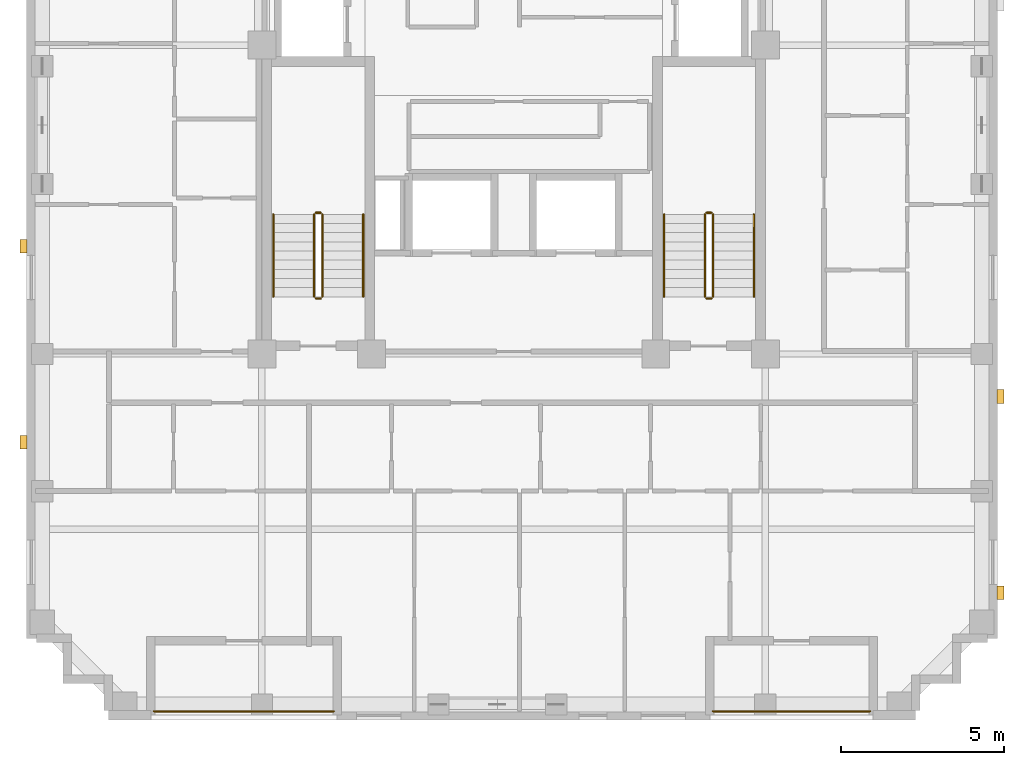
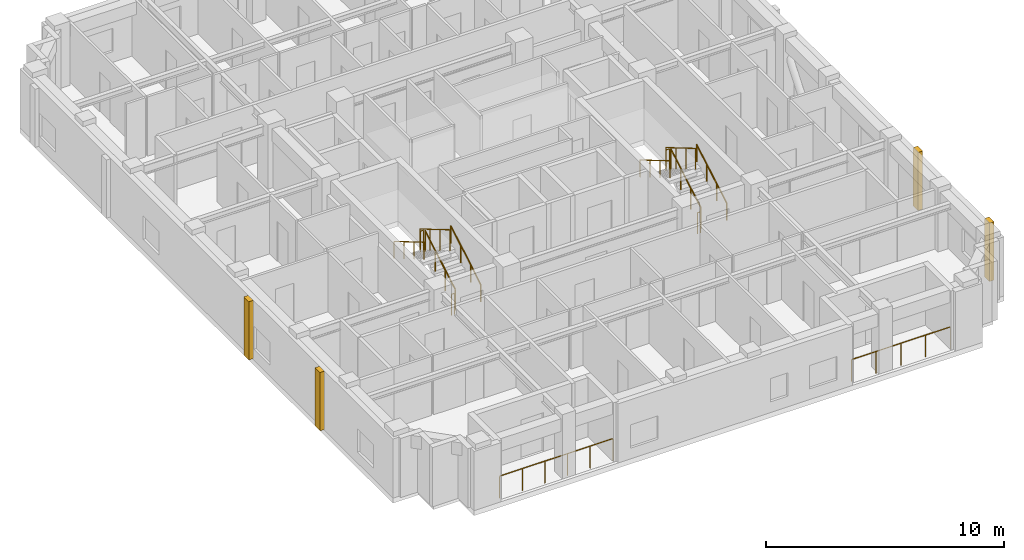
# One storey, part 10 of 11: 14 railings, 4 coverings.
"""IFC4 building model written with IfcOpenShell, lengths in metres."""

from ifc_helpers import new_model, si_unit, derived_unit, direction, frame, origin, origin_2d, place, context, subcontext, project, spatial, rectangle, circle, extrude, material, layer, layer_set, type_object, element, save


model = new_model("IFC4")

# Units and contexts
model_context = context("Model", 3, precision=1e-05, world=origin(), true_north=direction((0.0, 1.0)))
body_context = subcontext(model_context, "Body", "Model", "MODEL_VIEW")
ifc_project = project(units=[si_unit("LENGTHUNIT", "METRE"), si_unit("AREAUNIT", "SQUARE_METRE"), si_unit("VOLUMEUNIT", "CUBIC_METRE"), si_unit("PLANEANGLEUNIT", "RADIAN"), si_unit("MASSUNIT", "GRAM", prefix="KILO"), derived_unit("THERMALTRANSMITTANCEUNIT", [(si_unit("MASSUNIT", "GRAM", prefix="KILO"), 1), (si_unit("TIMEUNIT", "SECOND"), -3), (si_unit("THERMODYNAMICTEMPERATUREUNIT", "KELVIN"), -1)])], contexts=[model_context])

# Site, building, storey
site_placement = place(None, origin())
site = spatial("IfcSite", under=ifc_project, at=site_placement, CompositionType="ELEMENT")
building_placement = place(site_placement, origin())
building = spatial("IfcBuilding", under=site, at=building_placement, Name="Korrvale Station Residences", CompositionType="ELEMENT")
storey_placement = place(building_placement, frame((0.0, 0.0, 197.5)))
storey = spatial("IfcBuildingStorey", under=building, at=storey_placement, Name="L57", CompositionType="ELEMENT", Elevation=197.5)

# Coverings
ifc_material_1 = material(Name="Architectural precast concrete C45/55", Category="concrete")
ifc_layer = layer(ifc_material_1, 0.219970703125, Name="Architectural precast concrete C45/55")
ifc_layer_set = layer_set([ifc_layer], Name="Architectural precast concrete C45/55")
covering_type = type_object("IfcCoveringType", Name="COV-PIER-400", PredefinedType="CLADDING", material=ifc_layer_set)
for number, where, z_axis, x_axis, name in (
    (1, (10.510009765625, 12.300048828125, 0.02490234375), (0.0, 0.0, 1.0), (0.0, 1.0, 0.0), "L57 Architectural Precast Facade Pier 02"),
    (2, (10.510009765625, 18.300048828125, 0.02490234375), (0.0, 0.0, 1.0), (0.0, 1.0, 0.0), "L57 Architectural Precast Facade Pier 03"),
    (3, (40.389892578125, 13.699951171875, 0.02490234375), (0.0, 0.0, 1.0), (0.0, 1.0, 0.0), "L57 Architectural Precast Facade Pier 08"),
    (4, (40.389892578125, 7.699951171875, 0.02490234375), (0.0, 0.0, 1.0), (0.0, 1.0, 0.0), "L57 Architectural Precast Facade Pier 09"),
):
    element("IfcCovering", number, at=place(storey_placement, frame(where, z_axis=z_axis, x_axis=x_axis)), inside=storey, type_object=covering_type, Name=name, PredefinedType="CLADDING", context=body_context, shape_type="SweptSolid", body=[
        extrude(rectangle(XDim=0.419921875, YDim=0.219970703125, at=origin_2d()), origin(), (0.0, 0.0, 1.0), 2.989990234375),
    ])

# Railings
ifc_material_2 = material(Name="Powder-coated aluminium picket loggia guard", Category="aluminium")
railing_type_1 = type_object("IfcRailingType", Name="RLG-BAL-1150", PredefinedType="GUARDRAIL", material=ifc_material_2)
railing_1_placement = place(storey_placement, frame((31.60009765625, 4.070068359375, 0.0)))
element("IfcRailing", 5, at=railing_1_placement, inside=storey, type_object=railing_type_1, Name="L57 Recessed Loggia Guardrail BAL-L57-S2", PredefinedType="GUARDRAIL", context=body_context, shape_type="SweptSolid", body=[
    extrude(circle(Radius=0.02392578125, at=origin_2d()), frame((0.0, 0.0, 1.1259765625), z_axis=(1.0, 0.0, 0.0), x_axis=(0.0, 1.0, 0.0)), (0.0, 0.0, 1.0), 4.7998046875),
    extrude(circle(Radius=0.02099609375, at=origin_2d()), origin(), (0.0, 0.0, 1.0), 1.101806640625),
    extrude(circle(Radius=0.02099609375, at=origin_2d()), frame((1.199951171875, 0.0, 0.0)), (0.0, 0.0, 1.0), 1.101806640625),
    extrude(circle(Radius=0.02099609375, at=origin_2d()), frame((2.39990234375, 0.0, 0.0)), (0.0, 0.0, 1.0), 1.101806640625),
    extrude(circle(Radius=0.02099609375, at=origin_2d()), frame((3.599853515625, 0.0, 0.0)), (0.0, 0.0, 1.0), 1.101806640625),
    extrude(circle(Radius=0.02099609375, at=origin_2d()), frame((4.7998046875, 0.0, 0.0)), (0.0, 0.0, 1.0), 1.101806640625),
])
railing_2_placement = place(storey_placement, frame((14.5, 4.070068359375, 0.0)))
element("IfcRailing", 6, at=railing_2_placement, inside=storey, type_object=railing_type_1, Name="L57 Recessed Loggia Guardrail BAL-L57-S1", PredefinedType="GUARDRAIL", context=body_context, shape_type="SweptSolid", body=[
    extrude(circle(Radius=0.02392578125, at=origin_2d()), frame((0.0, 0.0, 1.1259765625), z_axis=(1.0, 0.0, 0.0), x_axis=(0.0, 1.0, 0.0)), (0.0, 0.0, 1.0), 5.5),
    extrude(circle(Radius=0.02099609375, at=origin_2d()), origin(), (0.0, 0.0, 1.0), 1.101806640625),
    extrude(circle(Radius=0.02099609375, at=origin_2d()), frame((1.10009765625, 0.0, 0.0)), (0.0, 0.0, 1.0), 1.101806640625),
    extrude(circle(Radius=0.02099609375, at=origin_2d()), frame((2.199951171875, 0.0, 0.0)), (0.0, 0.0, 1.0), 1.101806640625),
    extrude(circle(Radius=0.02099609375, at=origin_2d()), frame((3.300048828125, 0.0, 0.0)), (0.0, 0.0, 1.0), 1.101806640625),
    extrude(circle(Radius=0.02099609375, at=origin_2d()), frame((4.39990234375, 0.0, 0.0)), (0.0, 0.0, 1.0), 1.101806640625),
    extrude(circle(Radius=0.02099609375, at=origin_2d()), frame((5.5, 0.0, 0.0)), (0.0, 0.0, 1.0), 1.101806640625),
])
ifc_material_3 = material(Name="Brushed stainless-steel continuous stair handrail", Category="steel")
railing_type_2 = type_object("IfcRailingType", Name="RLG-SHND-900", PredefinedType="HANDRAIL", material=ifc_material_3)
railing_3_placement = place(storey_placement, frame((20.89990234375, 16.75, 0.1650390625)))
element("IfcRailing", 7, at=railing_3_placement, inside=storey, type_object=railing_type_2, Name="L57 ST-1 stair handrail 1", PredefinedType="HANDRAIL", context=body_context, shape_type="SweptSolid", body=[
    extrude(circle(Radius=0.02392578125, at=origin_2d()), frame((0.0, 0.0, 0.8759765625), z_axis=(0.0, 0.861560626758, 0.507654692109), x_axis=(-1.0, 0.0, 0.0)), (0.0, 0.0, 1.0), 2.925048828125),
    extrude(circle(Radius=0.02099609375, at=origin_2d()), origin(), (0.0, 0.0, 1.0), 0.851806640625),
    extrude(circle(Radius=0.02099609375, at=origin_2d()), frame((0.0, 0.840087890625, 0.494873046875)), (0.0, 0.0, 1.0), 0.851806640625),
    extrude(circle(Radius=0.02099609375, at=origin_2d()), frame((0.0, 1.679931640625, 0.989990234375)), (0.0, 0.0, 1.0), 0.851806640625),
    extrude(circle(Radius=0.02099609375, at=origin_2d()), frame((0.0, 2.52001953125, 1.48486328125)), (0.0, 0.0, 1.0), 0.851806640625),
])
railing_4_placement = place(storey_placement, frame((18.14990234375, 19.27001953125, 1.81494140625)))
element("IfcRailing", 8, at=railing_4_placement, inside=storey, type_object=railing_type_2, Name="L57 ST-1 stair handrail 2", PredefinedType="HANDRAIL", context=body_context, shape_type="SweptSolid", body=[
    extrude(circle(Radius=0.02392578125, at=origin_2d()), frame((0.0, 0.0, 0.8759765625), z_axis=(0.0, -0.86152411907, 0.507716645641), x_axis=(1.0, 0.0, 0.0)), (0.0, 0.0, 1.0), 2.925048828125),
    extrude(circle(Radius=0.02099609375, at=origin_2d()), origin(), (0.0, 0.0, 1.0), 0.851806640625),
    extrude(circle(Radius=0.02099609375, at=origin_2d()), frame((0.0, -0.840087890625, 0.4951171875)), (0.0, 0.0, 1.0), 0.851806640625),
    extrude(circle(Radius=0.02099609375, at=origin_2d()), frame((0.0, -1.679931640625, 0.989990234375)), (0.0, 0.0, 1.0), 0.851806640625),
    extrude(circle(Radius=0.02099609375, at=origin_2d()), frame((0.0, -2.52001953125, 1.485107421875)), (0.0, 0.0, 1.0), 0.851806640625),
])
railing_5_placement = place(storey_placement, frame((32.85009765625, 16.75, 0.1650390625)))
element("IfcRailing", 9, at=railing_5_placement, inside=storey, type_object=railing_type_2, Name="L57 ST-2 stair handrail 1", PredefinedType="HANDRAIL", context=body_context, shape_type="SweptSolid", body=[
    extrude(circle(Radius=0.02392578125, at=origin_2d()), frame((0.0, 0.0, 0.8759765625), z_axis=(0.0, 0.861560626758, 0.507654692109), x_axis=(-1.0, 0.0, 0.0)), (0.0, 0.0, 1.0), 2.925048828125),
    extrude(circle(Radius=0.02099609375, at=origin_2d()), origin(), (0.0, 0.0, 1.0), 0.851806640625),
    extrude(circle(Radius=0.02099609375, at=origin_2d()), frame((0.0, 0.840087890625, 0.494873046875)), (0.0, 0.0, 1.0), 0.851806640625),
    extrude(circle(Radius=0.02099609375, at=origin_2d()), frame((0.0, 1.679931640625, 0.989990234375)), (0.0, 0.0, 1.0), 0.851806640625),
    extrude(circle(Radius=0.02099609375, at=origin_2d()), frame((0.0, 2.52001953125, 1.48486328125)), (0.0, 0.0, 1.0), 0.851806640625),
])
railing_6_placement = place(storey_placement, frame((30.10009765625, 19.27001953125, 1.81494140625)))
element("IfcRailing", 10, at=railing_6_placement, inside=storey, type_object=railing_type_2, Name="L57 ST-2 stair handrail 2", PredefinedType="HANDRAIL", context=body_context, shape_type="SweptSolid", body=[
    extrude(circle(Radius=0.02392578125, at=origin_2d()), frame((0.0, 0.0, 0.8759765625), z_axis=(0.0, -0.86152411907, 0.507716645641), x_axis=(1.0, 0.0, 0.0)), (0.0, 0.0, 1.0), 2.925048828125),
    extrude(circle(Radius=0.02099609375, at=origin_2d()), origin(), (0.0, 0.0, 1.0), 0.851806640625),
    extrude(circle(Radius=0.02099609375, at=origin_2d()), frame((0.0, -0.840087890625, 0.4951171875)), (0.0, 0.0, 1.0), 0.851806640625),
    extrude(circle(Radius=0.02099609375, at=origin_2d()), frame((0.0, -1.679931640625, 0.989990234375)), (0.0, 0.0, 1.0), 0.851806640625),
    extrude(circle(Radius=0.02099609375, at=origin_2d()), frame((0.0, -2.52001953125, 1.485107421875)), (0.0, 0.0, 1.0), 0.851806640625),
])
ifc_material_4 = material(Name="Galvanised painted tubular steel stair guard", Category="steel")
railing_type_3 = type_object("IfcRailingType", Name="RLG-STR-1100", PredefinedType="GUARDRAIL", material=ifc_material_4)
railing_7_placement = place(storey_placement, frame((19.64990234375, 16.75, 0.1650390625)))
element("IfcRailing", 11, at=railing_7_placement, inside=storey, type_object=railing_type_3, Name="L57 ST-1 stair guard 1", PredefinedType="GUARDRAIL", context=body_context, shape_type="SweptSolid", body=[
    extrude(circle(Radius=0.02392578125, at=origin_2d()), frame((0.0, 0.0, 1.076171875), z_axis=(0.0, 0.861560626758, 0.507654692109), x_axis=(-1.0, 0.0, 0.0)), (0.0, 0.0, 1.0), 2.925048828125),
    extrude(circle(Radius=0.02099609375, at=origin_2d()), origin(), (0.0, 0.0, 1.0), 1.052001953125),
    extrude(circle(Radius=0.02099609375, at=origin_2d()), frame((0.0, 0.840087890625, 0.494873046875)), (0.0, 0.0, 1.0), 1.052001953125),
    extrude(circle(Radius=0.02099609375, at=origin_2d()), frame((0.0, 1.679931640625, 0.989990234375)), (0.0, 0.0, 1.0), 1.052001953125),
    extrude(circle(Radius=0.02099609375, at=origin_2d()), frame((0.0, 2.52001953125, 1.48486328125)), (0.0, 0.0, 1.0), 1.052001953125),
])
railing_8_placement = place(storey_placement, frame((19.60009765625, 19.320068359375, 1.64990234375)))
element("IfcRailing", 12, at=railing_8_placement, inside=storey, type_object=railing_type_3, Name="L57 ST-1 stair guard 2", PredefinedType="GUARDRAIL", context=body_context, shape_type="SweptSolid", body=[
    extrude(circle(Radius=0.02392578125, at=origin_2d()), frame((0.0, 0.0, 1.076171875), z_axis=(-1.0, 0.0, 0.0), x_axis=(0.0, -1.0, 0.0)), (0.0, 0.0, 1.0), 0.150146484375),
    extrude(circle(Radius=0.02099609375, at=origin_2d()), origin(), (0.0, 0.0, 1.0), 1.052001953125),
    extrude(circle(Radius=0.02099609375, at=origin_2d()), frame((-0.150146484375, 0.0, 0.0)), (0.0, 0.0, 1.0), 1.052001953125),
])
railing_9_placement = place(storey_placement, frame((19.39990234375, 19.27001953125, 1.81494140625)))
element("IfcRailing", 13, at=railing_9_placement, inside=storey, type_object=railing_type_3, Name="L57 ST-1 stair guard 3", PredefinedType="GUARDRAIL", context=body_context, shape_type="SweptSolid", body=[
    extrude(circle(Radius=0.02392578125, at=origin_2d()), frame((0.0, 0.0, 1.076171875), z_axis=(0.0, -0.86152411907, 0.507716645641), x_axis=(1.0, 0.0, 0.0)), (0.0, 0.0, 1.0), 2.925048828125),
    extrude(circle(Radius=0.02099609375, at=origin_2d()), origin(), (0.0, 0.0, 1.0), 1.052001953125),
    extrude(circle(Radius=0.02099609375, at=origin_2d()), frame((0.0, -0.840087890625, 0.4951171875)), (0.0, 0.0, 1.0), 1.052001953125),
    extrude(circle(Radius=0.02099609375, at=origin_2d()), frame((0.0, -1.679931640625, 0.989990234375)), (0.0, 0.0, 1.0), 1.052001953125),
    extrude(circle(Radius=0.02099609375, at=origin_2d()), frame((0.0, -2.52001953125, 1.485107421875)), (0.0, 0.0, 1.0), 1.052001953125),
])
railing_10_placement = place(storey_placement, frame((19.60009765625, 16.699951171875, 0.0)))
element("IfcRailing", 14, at=railing_10_placement, inside=storey, type_object=railing_type_3, Name="L57 ST-1 stair guard 4", PredefinedType="GUARDRAIL", context=body_context, shape_type="SweptSolid", body=[
    extrude(circle(Radius=0.02392578125, at=origin_2d()), frame((0.0, 0.0, 1.076171875), z_axis=(-1.0, 0.0, 0.0), x_axis=(0.0, -1.0, 0.0)), (0.0, 0.0, 1.0), 0.150146484375),
    extrude(circle(Radius=0.02099609375, at=origin_2d()), origin(), (0.0, 0.0, 1.0), 1.052001953125),
    extrude(circle(Radius=0.02099609375, at=origin_2d()), frame((-0.150146484375, 0.0, 0.0)), (0.0, 0.0, 1.0), 1.052001953125),
])
railing_11_placement = place(storey_placement, frame((31.60009765625, 16.75, 0.1650390625)))
element("IfcRailing", 15, at=railing_11_placement, inside=storey, type_object=railing_type_3, Name="L57 ST-2 stair guard 1", PredefinedType="GUARDRAIL", context=body_context, shape_type="SweptSolid", body=[
    extrude(circle(Radius=0.02392578125, at=origin_2d()), frame((0.0, 0.0, 1.076171875), z_axis=(0.0, 0.861560626758, 0.507654692109), x_axis=(-1.0, 0.0, 0.0)), (0.0, 0.0, 1.0), 2.925048828125),
    extrude(circle(Radius=0.02099609375, at=origin_2d()), origin(), (0.0, 0.0, 1.0), 1.052001953125),
    extrude(circle(Radius=0.02099609375, at=origin_2d()), frame((0.0, 0.840087890625, 0.494873046875)), (0.0, 0.0, 1.0), 1.052001953125),
    extrude(circle(Radius=0.02099609375, at=origin_2d()), frame((0.0, 1.679931640625, 0.989990234375)), (0.0, 0.0, 1.0), 1.052001953125),
    extrude(circle(Radius=0.02099609375, at=origin_2d()), frame((0.0, 2.52001953125, 1.48486328125)), (0.0, 0.0, 1.0), 1.052001953125),
])
railing_12_placement = place(storey_placement, frame((31.550048828125, 19.320068359375, 1.64990234375)))
element("IfcRailing", 16, at=railing_12_placement, inside=storey, type_object=railing_type_3, Name="L57 ST-2 stair guard 2", PredefinedType="GUARDRAIL", context=body_context, shape_type="SweptSolid", body=[
    extrude(circle(Radius=0.02392578125, at=origin_2d()), frame((0.0, 0.0, 1.076171875), z_axis=(-1.0, 0.0, 0.0), x_axis=(0.0, -1.0, 0.0)), (0.0, 0.0, 1.0), 0.150146484375),
    extrude(circle(Radius=0.02099609375, at=origin_2d()), origin(), (0.0, 0.0, 1.0), 1.052001953125),
    extrude(circle(Radius=0.02099609375, at=origin_2d()), frame((-0.150146484375, 0.0, 0.0)), (0.0, 0.0, 1.0), 1.052001953125),
])
railing_13_placement = place(storey_placement, frame((31.35009765625, 19.27001953125, 1.81494140625)))
element("IfcRailing", 17, at=railing_13_placement, inside=storey, type_object=railing_type_3, Name="L57 ST-2 stair guard 3", PredefinedType="GUARDRAIL", context=body_context, shape_type="SweptSolid", body=[
    extrude(circle(Radius=0.02392578125, at=origin_2d()), frame((0.0, 0.0, 1.076171875), z_axis=(0.0, -0.86152411907, 0.507716645641), x_axis=(1.0, 0.0, 0.0)), (0.0, 0.0, 1.0), 2.925048828125),
    extrude(circle(Radius=0.02099609375, at=origin_2d()), origin(), (0.0, 0.0, 1.0), 1.052001953125),
    extrude(circle(Radius=0.02099609375, at=origin_2d()), frame((0.0, -0.840087890625, 0.4951171875)), (0.0, 0.0, 1.0), 1.052001953125),
    extrude(circle(Radius=0.02099609375, at=origin_2d()), frame((0.0, -1.679931640625, 0.989990234375)), (0.0, 0.0, 1.0), 1.052001953125),
    extrude(circle(Radius=0.02099609375, at=origin_2d()), frame((0.0, -2.52001953125, 1.485107421875)), (0.0, 0.0, 1.0), 1.052001953125),
])
railing_14_placement = place(storey_placement, frame((31.550048828125, 16.699951171875, 0.0)))
element("IfcRailing", 18, at=railing_14_placement, inside=storey, type_object=railing_type_3, Name="L57 ST-2 stair guard 4", PredefinedType="GUARDRAIL", context=body_context, shape_type="SweptSolid", body=[
    extrude(circle(Radius=0.02392578125, at=origin_2d()), frame((0.0, 0.0, 1.076171875), z_axis=(-1.0, 0.0, 0.0), x_axis=(0.0, -1.0, 0.0)), (0.0, 0.0, 1.0), 0.150146484375),
    extrude(circle(Radius=0.02099609375, at=origin_2d()), origin(), (0.0, 0.0, 1.0), 1.052001953125),
    extrude(circle(Radius=0.02099609375, at=origin_2d()), frame((-0.150146484375, 0.0, 0.0)), (0.0, 0.0, 1.0), 1.052001953125),
])

save(model, "model.ifc")
